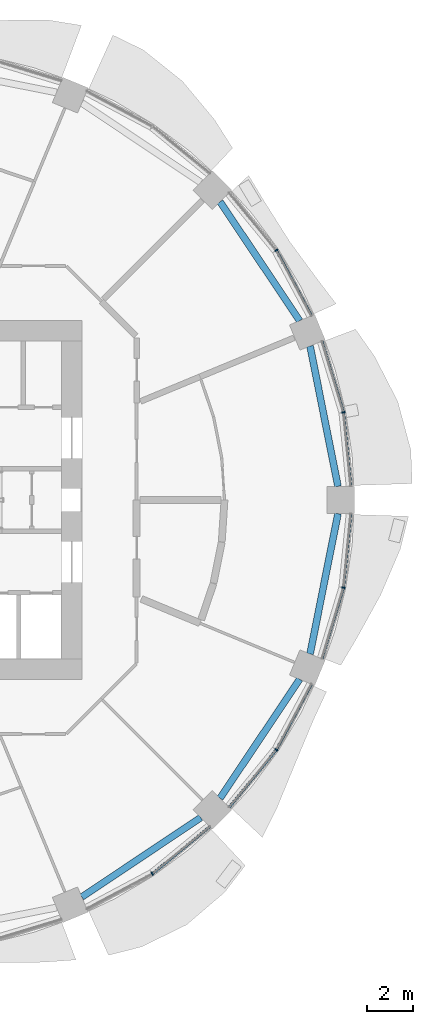
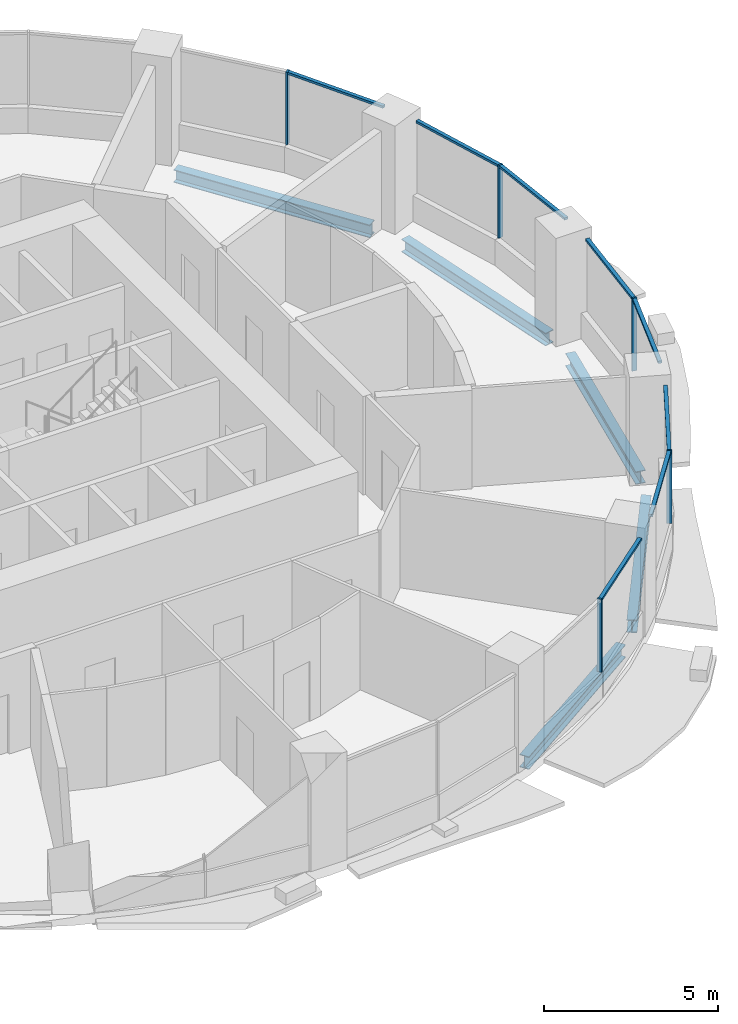
# One storey, part 5 of 15: 13 members, 5 beams, 5 elements without a shape of their own.
"""IFC4 building model written with IfcOpenShell, lengths in metres."""

from ifc_helpers import new_model, si_unit, direction, frame, origin, origin_2d, place, context, subcontext, project, spatial, rectangle, i_section, extrude, material, material_profile, profile_set, type_object, element, aggregate, save


model = new_model("IFC4")

# Units and contexts
model_context = context("Model", 3, precision=1e-05, world=origin(), true_north=direction((0.0, 1.0)))
body_context = subcontext(model_context, "Body", "Model", "MODEL_VIEW")
ifc_project = project(units=[si_unit("LENGTHUNIT", "METRE"), si_unit("AREAUNIT", "SQUARE_METRE"), si_unit("VOLUMEUNIT", "CUBIC_METRE"), si_unit("PLANEANGLEUNIT", "RADIAN"), si_unit("MASSUNIT", "GRAM", prefix="KILO")], contexts=[model_context])

# Site, building, storey
site_placement = place(None, origin())
site = spatial("IfcSite", under=ifc_project, at=site_placement, CompositionType="ELEMENT")
building_placement = place(site_placement, origin())
building = spatial("IfcBuilding", under=site, at=building_placement, Name="Polderwave Tower", CompositionType="ELEMENT")
storey_placement = place(building_placement, frame((0.0, 0.0, 22.39990234375)))
storey = spatial("IfcBuildingStorey", under=building, at=storey_placement, Name="L05", CompositionType="ELEMENT", Elevation=22.39990234375)

# Curtain wall, member
ifc_material_1 = material(Name="Aluminium 6063-T6 and glass", Category="aluminium")
curtain_wall_type = type_object("IfcCurtainWallType", Name="Growing floor ribbon glazing wall", PredefinedType="NOTDEFINED", material=ifc_material_1)
curtain_wall_1_placement = place(storey_placement, origin())
curtain_wall_1 = element("IfcCurtainWall", 1, at=curtain_wall_1_placement, inside=storey, type_object=curtain_wall_type, Name="CW2 L05 00", PredefinedType="NOTDEFINED")
ifc_material_2 = material(Name="Aluminium 6063-T6", Category="aluminium")
ifc_material_profile_1 = material_profile(ifc_material_2, rectangle(XDim=0.14990234375, YDim=0.06005859375, at=origin_2d()), Name="AL 60x150")
ifc_profile_set_1 = profile_set([ifc_material_profile_1], Name="Aluminium 6063-T6")
member_type_1 = type_object("IfcMemberType", Name="Growing floor ribbon glazing mullion 60x150", PredefinedType="MULLION", material=ifc_profile_set_1)
member_1_placement = place(storey_placement, frame((19.35107421875, 3.84912109375, 0.900146484375), z_axis=(0.0, 0.0, 1.0), x_axis=(-0.980775404738, -0.19513996377, 0.0)))
member_1 = element("IfcMember", 2, at=member_1_placement, type_object=member_type_1, Name="CW2 mullion 1", PredefinedType="MULLION", context=body_context, shape_type="SweptSolid", body=[
    extrude(rectangle(XDim=0.14990234375, YDim=0.06005859375, at=origin_2d()), origin(), (0.0, 0.0, 1.0), 2.550048828125),
])

curtain_wall_2_placement = place(storey_placement, origin())
curtain_wall_2 = element("IfcCurtainWall", 3, at=curtain_wall_2_placement, inside=storey, type_object=curtain_wall_type, Name="CW2 L05 01", PredefinedType="NOTDEFINED")
member_2_placement = place(storey_placement, frame((16.405029296875, 10.9609375, 0.900146484375), z_axis=(0.0, 0.0, 1.0), x_axis=(-0.831485126426, -0.555547013791, 0.0)))
member_2 = element("IfcMember", 4, at=member_2_placement, type_object=member_type_1, Name="CW2 mullion 1", PredefinedType="MULLION", context=body_context, shape_type="SweptSolid", body=[
    extrude(rectangle(XDim=0.14990234375, YDim=0.06005859375, at=origin_2d()), origin(), (0.0, 0.0, 1.0), 2.550048828125),
])

curtain_wall_3_placement = place(storey_placement, origin())
curtain_wall_3 = element("IfcCurtainWall", 5, at=curtain_wall_3_placement, inside=storey, type_object=curtain_wall_type, Name="CW2 L05 13", PredefinedType="NOTDEFINED")
member_3_placement = place(storey_placement, frame((10.9609375, -16.405029296875, 0.900146484375), z_axis=(0.0, 0.0, 1.0), x_axis=(-0.555547013791, 0.831485126426, 0.0)))
member_3 = element("IfcMember", 6, at=member_3_placement, type_object=member_type_1, Name="CW2 mullion 1", PredefinedType="MULLION", context=body_context, shape_type="SweptSolid", body=[
    extrude(rectangle(XDim=0.14990234375, YDim=0.06005859375, at=origin_2d()), origin(), (0.0, 0.0, 1.0), 2.550048828125),
])

curtain_wall_4_placement = place(storey_placement, origin())
curtain_wall_4 = element("IfcCurtainWall", 7, at=curtain_wall_4_placement, inside=storey, type_object=curtain_wall_type, Name="CW2 L05 14", PredefinedType="NOTDEFINED")
member_4_placement = place(storey_placement, frame((16.405029296875, -10.9609375, 0.900146484375), z_axis=(0.0, 0.0, 1.0), x_axis=(-0.831485126426, 0.555547013791, 0.0)))
member_4 = element("IfcMember", 8, at=member_4_placement, type_object=member_type_1, Name="CW2 mullion 1", PredefinedType="MULLION", context=body_context, shape_type="SweptSolid", body=[
    extrude(rectangle(XDim=0.14990234375, YDim=0.06005859375, at=origin_2d()), origin(), (0.0, 0.0, 1.0), 2.550048828125),
])

curtain_wall_5_placement = place(storey_placement, origin())
curtain_wall_5 = element("IfcCurtainWall", 9, at=curtain_wall_5_placement, inside=storey, type_object=curtain_wall_type, Name="CW2 L05 15", PredefinedType="NOTDEFINED")
member_5_placement = place(storey_placement, frame((19.35107421875, -3.84912109375, 0.900146484375), z_axis=(0.0, 0.0, 1.0), x_axis=(-0.980775404738, 0.19513996377, 0.0)))
member_5 = element("IfcMember", 10, at=member_5_placement, type_object=member_type_1, Name="CW2 mullion 1", PredefinedType="MULLION", context=body_context, shape_type="SweptSolid", body=[
    extrude(rectangle(XDim=0.14990234375, YDim=0.06005859375, at=origin_2d()), origin(), (0.0, 0.0, 1.0), 2.550048828125),
])

# Member
ifc_material_profile_2 = material_profile(ifc_material_2, rectangle(XDim=0.1201171875, YDim=0.080078125, at=origin_2d()), Name="AL 80x120")
ifc_profile_set_2 = profile_set([ifc_material_profile_2], Name="Aluminium 6063-T6")
member_type_2 = type_object("IfcMemberType", Name="Growing floor ribbon glazing transom 80x120", PredefinedType="USERDEFINED", material=ifc_profile_set_2)
member_6_placement = place(storey_placement, frame((19.6708984375, 0.60009765625, 3.41015625), z_axis=(-0.097971603742, 0.995189210583, 0.0), x_axis=(-0.995189210583, -0.097971603742, 0.0)))
member_6 = element("IfcMember", 11, at=member_6_placement, type_object=member_type_2, Name="CW2 transom 1", ObjectType="TRANSOM", PredefinedType="USERDEFINED", context=body_context, shape_type="SweptSolid", body=[
    extrude(rectangle(XDim=0.1201171875, YDim=0.080078125, at=origin_2d()), origin(), (0.0, 0.0, 1.0), 3.234619140625),
])

member_7_placement = place(storey_placement, frame((19.34228515625, 3.877685546875, 3.41015625), z_axis=(-0.29036559607, 0.956915785542, 0.0), x_axis=(-0.956915785542, -0.29036559607, 0.0)))
member_7 = element("IfcMember", 12, at=member_7_placement, type_object=member_type_2, Name="CW2 transom 2", ObjectType="TRANSOM", PredefinedType="USERDEFINED", context=body_context, shape_type="SweptSolid", body=[
    extrude(rectangle(XDim=0.1201171875, YDim=0.080078125, at=origin_2d()), origin(), (0.0, 0.0, 1.0), 3.234619140625),
])

aggregate(curtain_wall_1, [member_1, member_6, member_7])

member_8_placement = place(storey_placement, frame((17.944091796875, 8.08203125, 3.41015625), z_axis=(-0.471442050997, 0.881897041923, 0.0), x_axis=(-0.881897041923, -0.471442050997, 0.0)))
member_8 = element("IfcMember", 13, at=member_8_placement, type_object=member_type_2, Name="CW2 transom 1", ObjectType="TRANSOM", PredefinedType="USERDEFINED", context=body_context, shape_type="SweptSolid", body=[
    extrude(rectangle(XDim=0.1201171875, YDim=0.080078125, at=origin_2d()), origin(), (0.0, 0.0, 1.0), 3.234619140625),
])

aggregate(curtain_wall_2, [member_2, member_8])

member_9_placement = place(storey_placement, frame((10.984130859375, -16.385986328125, 3.41015625), z_axis=(0.773085706031, 0.63430157743, 0.0), x_axis=(-0.63430157743, 0.773085706031, 0.0)))
member_9 = element("IfcMember", 14, at=member_9_placement, type_object=member_type_2, Name="CW2 transom 2", ObjectType="TRANSOM", PredefinedType="USERDEFINED", context=body_context, shape_type="SweptSolid", body=[
    extrude(rectangle(XDim=0.1201171875, YDim=0.080078125, at=origin_2d()), origin(), (0.0, 0.0, 1.0), 3.235107421875),
])

aggregate(curtain_wall_3, [member_3, member_9])

member_10_placement = place(storey_placement, frame((14.333984375, -13.485107421875, 3.41015625), z_axis=(0.63430157743, 0.773085706031, 0.0), x_axis=(-0.773085706031, 0.63430157743, 0.0)))
member_10 = element("IfcMember", 15, at=member_10_placement, type_object=member_type_2, Name="CW2 transom 1", ObjectType="TRANSOM", PredefinedType="USERDEFINED", context=body_context, shape_type="SweptSolid", body=[
    extrude(rectangle(XDim=0.1201171875, YDim=0.080078125, at=origin_2d()), origin(), (0.0, 0.0, 1.0), 3.235107421875),
])

member_11_placement = place(storey_placement, frame((16.419189453125, -10.9345703125, 3.41015625), z_axis=(0.471442050997, 0.881897041923, 0.0), x_axis=(-0.881897041923, 0.471442050997, 0.0)))
member_11 = element("IfcMember", 16, at=member_11_placement, type_object=member_type_2, Name="CW2 transom 2", ObjectType="TRANSOM", PredefinedType="USERDEFINED", context=body_context, shape_type="SweptSolid", body=[
    extrude(rectangle(XDim=0.1201171875, YDim=0.080078125, at=origin_2d()), origin(), (0.0, 0.0, 1.0), 3.234619140625),
])

aggregate(curtain_wall_4, [member_4, member_10, member_11])

member_12_placement = place(storey_placement, frame((18.403076171875, -6.972900390625, 3.41015625), z_axis=(0.29036559607, 0.956915785542, 0.0), x_axis=(-0.956915785542, 0.29036559607, 0.0)))
member_12 = element("IfcMember", 17, at=member_12_placement, type_object=member_type_2, Name="CW2 transom 1", ObjectType="TRANSOM", PredefinedType="USERDEFINED", context=body_context, shape_type="SweptSolid", body=[
    extrude(rectangle(XDim=0.1201171875, YDim=0.080078125, at=origin_2d()), origin(), (0.0, 0.0, 1.0), 3.234619140625),
])

member_13_placement = place(storey_placement, frame((19.35400390625, -3.819091796875, 3.41015625), z_axis=(0.097971603742, 0.995189210583, 0.0), x_axis=(-0.995189210583, 0.097971603742, 0.0)))
member_13 = element("IfcMember", 18, at=member_13_placement, type_object=member_type_2, Name="CW2 transom 2", ObjectType="TRANSOM", PredefinedType="USERDEFINED", context=body_context, shape_type="SweptSolid", body=[
    extrude(rectangle(XDim=0.1201171875, YDim=0.080078125, at=origin_2d()), origin(), (0.0, 0.0, 1.0), 3.234619140625),
])

aggregate(curtain_wall_5, [member_5, member_12, member_13])

# Beams
ifc_material_3 = material(Name="Steel S355", Category="steel")
ifc_material_profile_3 = material_profile(ifc_material_3, i_section(OverallWidth=0.300048828125, OverallDepth=0.449951171875, WebThickness=0.013916015625, FlangeThickness=0.02587890625, at=origin_2d()), Name="HE 450 B")
ifc_profile_set_3 = profile_set([ifc_material_profile_3], Name="Steel S355")
beam_type = type_object("IfcBeamType", Name="RING BEAM HE 450 B", PredefinedType="BEAM", material=ifc_profile_set_3)
beam_1_placement = place(storey_placement, frame((19.110595703125, 0.60009765625, -0.574951171875), z_axis=(-0.195091732249, 0.980784999889, 0.0), x_axis=(-0.980784999889, -0.195091732249, 0.0)))
element("IfcBeam", 19, at=beam_1_placement, inside=storey, type_object=beam_type, Name="ST-RB-L05-00", PredefinedType="BEAM", context=body_context, shape_type="SweptSolid", body=[
    extrude(i_section(OverallWidth=0.300048828125, OverallDepth=0.449951171875, WebThickness=0.013916015625, FlangeThickness=0.02587890625, at=origin_2d()), origin(), (0.0, 0.0, 1.0), 6.279541015625),
])
for number, where, z_axis, x_axis, name in (
    (20, (17.42626953125, 7.86767578125, -0.574951171875), (-0.55556118785, 0.831475656021, 0.0), (-0.831475656021, -0.55556118785, 0.0), "ST-RB-L05-01"),
    (21, (7.86767578125, -17.42626953125, -0.574951171875), (0.831475656021, 0.55556118785, 0.0), (-0.55556118785, 0.831475656021, 0.0), "ST-RB-L05-13"),
    (22, (13.9375, -13.089111328125, -0.574951171875), (0.55556118785, 0.831475656021, 0.0), (-0.831475656021, 0.55556118785, 0.0), "ST-RB-L05-14"),
):
    element("IfcBeam", number, at=place(storey_placement, frame(where, z_axis=z_axis, x_axis=x_axis)), inside=storey, type_object=beam_type, Name=name, PredefinedType="BEAM", context=body_context, shape_type="SweptSolid", body=[
        extrude(i_section(OverallWidth=0.300048828125, OverallDepth=0.449951171875, WebThickness=0.013916015625, FlangeThickness=0.02587890625, at=origin_2d()), origin(), (0.0, 0.0, 1.0), 6.27978515625),
    ])
beam_2_placement = place(storey_placement, frame((17.885498046875, -6.759033203125, -0.574951171875), z_axis=(0.195091732249, 0.980784999889, 0.0), x_axis=(-0.980784999889, 0.195091732249, 0.0)))
element("IfcBeam", 23, at=beam_2_placement, inside=storey, type_object=beam_type, Name="ST-RB-L05-15", PredefinedType="BEAM", context=body_context, shape_type="SweptSolid", body=[
    extrude(i_section(OverallWidth=0.300048828125, OverallDepth=0.449951171875, WebThickness=0.013916015625, FlangeThickness=0.02587890625, at=origin_2d()), origin(), (0.0, 0.0, 1.0), 6.279541015625),
])

save(model, "model.ifc")
